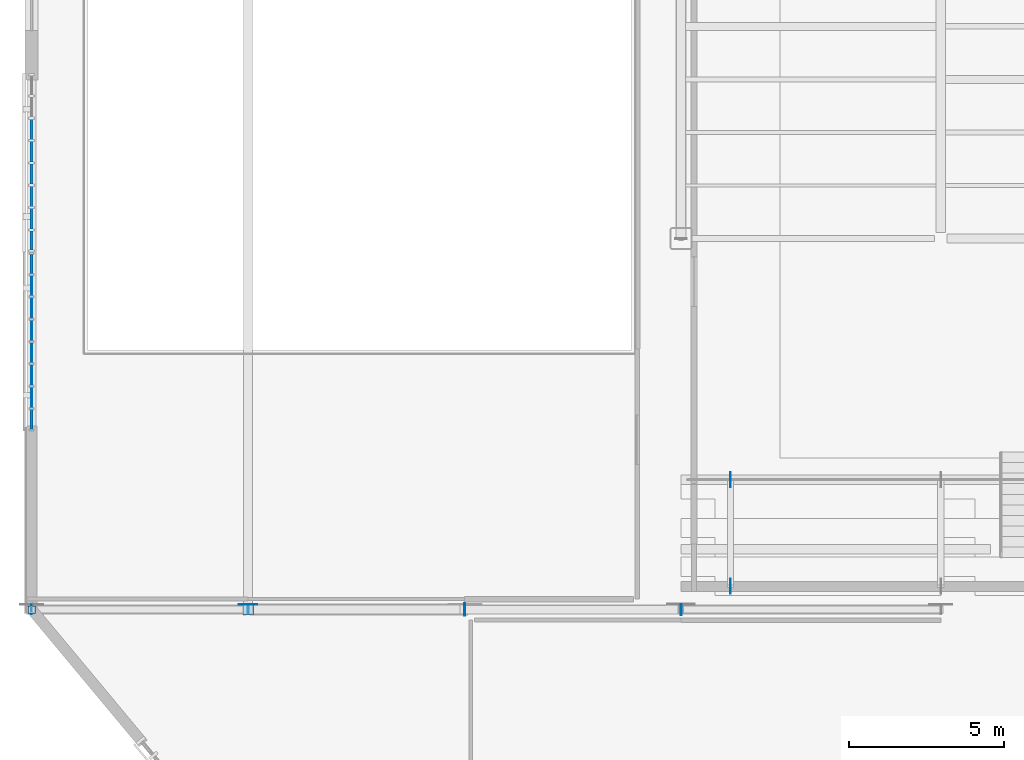
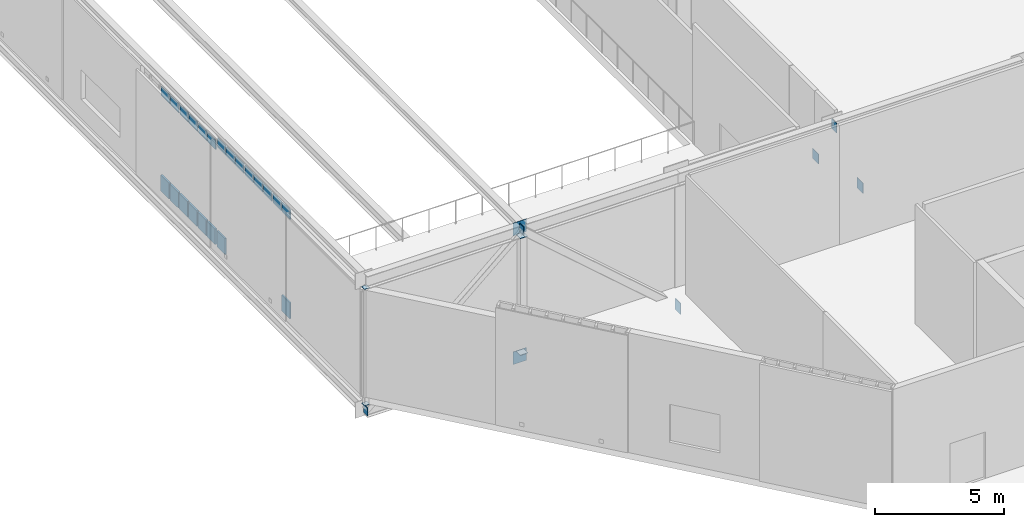
# One storey, part 84 of 135: 34 plates, 2 elements without a shape of their own.
"""IFC4 building model written with IfcOpenShell, lengths in metres."""

from ifc_helpers import new_model, si_unit, direction, frame, origin, origin_2d, place, context, subcontext, project, spatial, rectangle, extrude, material, layer, layer_set, type_object, element, aggregate, save


model = new_model("IFC4")

# Units and contexts
model_context = context("Model", 3, precision=1e-05, world=origin(), true_north=direction((0.0, 1.0)))
body_context = subcontext(model_context, "Body", "Model", "MODEL_VIEW")
ifc_project = project(units=[si_unit("LENGTHUNIT", "METRE"), si_unit("AREAUNIT", "SQUARE_METRE"), si_unit("VOLUMEUNIT", "CUBIC_METRE"), si_unit("PLANEANGLEUNIT", "RADIAN"), si_unit("MASSUNIT", "GRAM", prefix="KILO")], contexts=[model_context])

# Site, building, storey
site_placement = place(None, origin())
site = spatial("IfcSite", under=ifc_project, at=site_placement, CompositionType="ELEMENT")
building_placement = place(site_placement, origin())
building = spatial("IfcBuilding", under=site, at=building_placement, Name="Larkvane Passage Sports Hall", CompositionType="ELEMENT")
storey_placement = place(building_placement, frame((0.0, 0.0, 10.800048828125)))
storey = spatial("IfcBuildingStorey", under=building, at=storey_placement, Name="L02", CompositionType="ELEMENT", Elevation=10.800048828125)

# Curtain wall, plates
ifc_material_1 = material(Name="Thermally broken aluminium and low-E glazing", Category="aluminium")
curtain_wall_type_1 = type_object("IfcCurtainWallType", Name="CW-UNIT-COURT", PredefinedType="USERDEFINED", material=ifc_material_1)
curtain_wall_1_placement = place(storey_placement, origin())
curtain_wall_1 = element("IfcCurtainWall", 1, at=curtain_wall_1_placement, inside=storey, type_object=curtain_wall_type_1, Name="Curtain wall CW5-L02-092", ObjectType="UNITISED CURTAIN WALL", PredefinedType="USERDEFINED")
ifc_material_2 = material(Name="Insulated aluminium spandrel panel", Category="aluminium")
ifc_layer_1 = layer(ifc_material_2, 0.06494140625)
ifc_layer_set_1 = layer_set([ifc_layer_1], Name="Insulated aluminium spandrel panel")
plate_type_1 = type_object("IfcPlateType", Name="CWP-SPD-65", PredefinedType="CURTAIN_PANEL", material=ifc_layer_set_1)
plate_1_placement = place(storey_placement, frame((13.800048828125, 45.75390625, 0.06005859375), z_axis=(0.0, 0.0, 1.0), x_axis=(0.0, 1.0, 0.0)))
plate_1 = element("IfcPlate", 2, at=plate_1_placement, type_object=plate_type_1, Name="CW-01 panel 1.1", PredefinedType="CURTAIN_PANEL", context=body_context, shape_type="SweptSolid", body=[
    extrude(rectangle(XDim=0.63232421875, YDim=0.06494140625, at=origin_2d()), origin(), (0.0, 0.0, 1.0), 0.760009765625),
])
plate_2_placement = place(storey_placement, frame((13.800048828125, 50.779541015625, 0.06005859375), z_axis=(0.0, 0.0, 1.0), x_axis=(0.0, 1.0, 0.0)))
plate_2 = element("IfcPlate", 3, at=plate_2_placement, type_object=plate_type_1, Name="CW-01 panel 8.1", PredefinedType="CURTAIN_PANEL", context=body_context, shape_type="SweptSolid", body=[
    extrude(rectangle(XDim=0.63232421875, YDim=0.06494140625, at=origin_2d()), origin(), (0.0, 0.0, 1.0), 0.760009765625),
])

curtain_wall_type_2 = type_object("IfcCurtainWallType", Name="CW-UNIT-VEIL", PredefinedType="USERDEFINED", material=ifc_material_1)
curtain_wall_2_placement = place(storey_placement, origin())
curtain_wall_2 = element("IfcCurtainWall", 4, at=curtain_wall_2_placement, inside=storey, type_object=curtain_wall_type_2, Name="Curtain wall CW5-L02-093", ObjectType="UNITISED CURTAIN WALL", PredefinedType="USERDEFINED")
ifc_material_3 = material(Name="Mineral-wool insulated spandrel cassette")
ifc_layer_2 = layer(ifc_material_3, 0.0849609375)
ifc_layer_set_2 = layer_set([ifc_layer_2], Name="Mineral-wool insulated spandrel cassette")
plate_type_2 = type_object("IfcPlateType", Name="CWP-SPD-85", PredefinedType="CURTAIN_PANEL", material=ifc_layer_set_2)
plate_3_placement = place(storey_placement, frame((13.800048828125, 51.5341796875, 0.06982421875), z_axis=(0.0, 0.0, 1.0), x_axis=(0.0, 1.0, 0.0)))
plate_3 = element("IfcPlate", 5, at=plate_3_placement, type_object=plate_type_2, Name="CW-02 panel 1.1", PredefinedType="CURTAIN_PANEL", context=body_context, shape_type="SweptSolid", body=[
    extrude(rectangle(XDim=0.6171875, YDim=0.0849609375, at=origin_2d()), origin(), (0.0, 0.0, 1.0), 0.7451171875),
])
plate_4_placement = place(storey_placement, frame((13.800048828125, 52.239013671875, 0.06982421875), z_axis=(0.0, 0.0, 1.0), x_axis=(0.0, 1.0, 0.0)))
plate_4 = element("IfcPlate", 6, at=plate_4_placement, type_object=plate_type_2, Name="CW-02 panel 2.1", PredefinedType="CURTAIN_PANEL", context=body_context, shape_type="SweptSolid", body=[
    extrude(rectangle(XDim=0.652099609375, YDim=0.0849609375, at=origin_2d()), origin(), (0.0, 0.0, 1.0), 0.7451171875),
])
plate_5_placement = place(storey_placement, frame((13.800048828125, 52.961181640625, 0.06982421875), z_axis=(0.0, 0.0, 1.0), x_axis=(0.0, 1.0, 0.0)))
plate_5 = element("IfcPlate", 7, at=plate_5_placement, type_object=plate_type_2, Name="CW-02 panel 3.1", PredefinedType="CURTAIN_PANEL", context=body_context, shape_type="SweptSolid", body=[
    extrude(rectangle(XDim=0.652099609375, YDim=0.0849609375, at=origin_2d()), origin(), (0.0, 0.0, 1.0), 0.7451171875),
])
plate_6_placement = place(storey_placement, frame((13.800048828125, 53.683349609375, 0.06982421875), z_axis=(0.0, 0.0, 1.0), x_axis=(0.0, 1.0, 0.0)))
plate_6 = element("IfcPlate", 8, at=plate_6_placement, type_object=plate_type_2, Name="CW-02 panel 4.1", PredefinedType="CURTAIN_PANEL", context=body_context, shape_type="SweptSolid", body=[
    extrude(rectangle(XDim=0.652099609375, YDim=0.0849609375, at=origin_2d()), origin(), (0.0, 0.0, 1.0), 0.7451171875),
])
plate_7_placement = place(storey_placement, frame((13.800048828125, 54.405517578125, 0.06982421875), z_axis=(0.0, 0.0, 1.0), x_axis=(0.0, 1.0, 0.0)))
plate_7 = element("IfcPlate", 9, at=plate_7_placement, type_object=plate_type_2, Name="CW-02 panel 5.1", PredefinedType="CURTAIN_PANEL", context=body_context, shape_type="SweptSolid", body=[
    extrude(rectangle(XDim=0.652099609375, YDim=0.0849609375, at=origin_2d()), origin(), (0.0, 0.0, 1.0), 0.7451171875),
])
plate_8_placement = place(storey_placement, frame((13.800048828125, 55.127685546875, 0.06982421875), z_axis=(0.0, 0.0, 1.0), x_axis=(0.0, 1.0, 0.0)))
plate_8 = element("IfcPlate", 10, at=plate_8_placement, type_object=plate_type_2, Name="CW-02 panel 6.1", PredefinedType="CURTAIN_PANEL", context=body_context, shape_type="SweptSolid", body=[
    extrude(rectangle(XDim=0.652099609375, YDim=0.0849609375, at=origin_2d()), origin(), (0.0, 0.0, 1.0), 0.7451171875),
])

# Plate
ifc_material_4 = material(Name="Solar-control low-E double glazing", Category="glass")
ifc_layer_3 = layer(ifc_material_4, 0.028076171875)
ifc_layer_set_3 = layer_set([ifc_layer_3], Name="Solar-control low-E double glazing")
plate_type_3 = type_object("IfcPlateType", Name="CWP-VIS-28", PredefinedType="CURTAIN_PANEL", material=ifc_layer_set_3)
plate_9_placement = place(storey_placement, frame((13.800048828125, 45.75390625, 4.758056640625), z_axis=(0.0, 0.0, 1.0), x_axis=(0.0, 1.0, 0.0)))
plate_9 = element("IfcPlate", 11, at=plate_9_placement, type_object=plate_type_3, Name="CW-01 panel 1.3", PredefinedType="CURTAIN_PANEL", context=body_context, shape_type="SweptSolid", body=[
    extrude(rectangle(XDim=0.63232421875, YDim=0.028076171875, at=origin_2d()), origin(), (0.0, 0.0, 1.0), 0.4599609375),
])

plate_10_placement = place(storey_placement, frame((13.800048828125, 46.461181640625, 4.758056640625), z_axis=(0.0, 0.0, 1.0), x_axis=(0.0, 1.0, 0.0)))
plate_10 = element("IfcPlate", 12, at=plate_10_placement, type_object=plate_type_3, Name="CW-01 panel 2.3", PredefinedType="CURTAIN_PANEL", context=body_context, shape_type="SweptSolid", body=[
    extrude(rectangle(XDim=0.662109375, YDim=0.028076171875, at=origin_2d()), origin(), (0.0, 0.0, 1.0), 0.4599609375),
])

plate_11_placement = place(storey_placement, frame((13.800048828125, 47.183349609375, 4.758056640625), z_axis=(0.0, 0.0, 1.0), x_axis=(0.0, 1.0, 0.0)))
plate_11 = element("IfcPlate", 13, at=plate_11_placement, type_object=plate_type_3, Name="CW-01 panel 3.3", PredefinedType="CURTAIN_PANEL", context=body_context, shape_type="SweptSolid", body=[
    extrude(rectangle(XDim=0.662109375, YDim=0.028076171875, at=origin_2d()), origin(), (0.0, 0.0, 1.0), 0.4599609375),
])

plate_12_placement = place(storey_placement, frame((13.800048828125, 47.905517578125, 4.758056640625), z_axis=(0.0, 0.0, 1.0), x_axis=(0.0, 1.0, 0.0)))
plate_12 = element("IfcPlate", 14, at=plate_12_placement, type_object=plate_type_3, Name="CW-01 panel 4.3", PredefinedType="CURTAIN_PANEL", context=body_context, shape_type="SweptSolid", body=[
    extrude(rectangle(XDim=0.662109375, YDim=0.028076171875, at=origin_2d()), origin(), (0.0, 0.0, 1.0), 0.4599609375),
])

plate_13_placement = place(storey_placement, frame((13.800048828125, 48.6279296875, 4.758056640625), z_axis=(0.0, 0.0, 1.0), x_axis=(0.0, 1.0, 0.0)))
plate_13 = element("IfcPlate", 15, at=plate_13_placement, type_object=plate_type_3, Name="CW-01 panel 5.3", PredefinedType="CURTAIN_PANEL", context=body_context, shape_type="SweptSolid", body=[
    extrude(rectangle(XDim=0.662109375, YDim=0.028076171875, at=origin_2d()), origin(), (0.0, 0.0, 1.0), 0.4599609375),
])

plate_14_placement = place(storey_placement, frame((13.800048828125, 49.35009765625, 4.758056640625), z_axis=(0.0, 0.0, 1.0), x_axis=(0.0, 1.0, 0.0)))
plate_14 = element("IfcPlate", 16, at=plate_14_placement, type_object=plate_type_3, Name="CW-01 panel 6.3", PredefinedType="CURTAIN_PANEL", context=body_context, shape_type="SweptSolid", body=[
    extrude(rectangle(XDim=0.662109375, YDim=0.028076171875, at=origin_2d()), origin(), (0.0, 0.0, 1.0), 0.4599609375),
])

plate_15_placement = place(storey_placement, frame((13.800048828125, 50.072265625, 4.758056640625), z_axis=(0.0, 0.0, 1.0), x_axis=(0.0, 1.0, 0.0)))
plate_15 = element("IfcPlate", 17, at=plate_15_placement, type_object=plate_type_3, Name="CW-01 panel 7.3", PredefinedType="CURTAIN_PANEL", context=body_context, shape_type="SweptSolid", body=[
    extrude(rectangle(XDim=0.662109375, YDim=0.028076171875, at=origin_2d()), origin(), (0.0, 0.0, 1.0), 0.4599609375),
])

plate_16_placement = place(storey_placement, frame((13.800048828125, 50.779541015625, 4.758056640625), z_axis=(0.0, 0.0, 1.0), x_axis=(0.0, 1.0, 0.0)))
plate_16 = element("IfcPlate", 18, at=plate_16_placement, type_object=plate_type_3, Name="CW-01 panel 8.3", PredefinedType="CURTAIN_PANEL", context=body_context, shape_type="SweptSolid", body=[
    extrude(rectangle(XDim=0.63232421875, YDim=0.028076171875, at=origin_2d()), origin(), (0.0, 0.0, 1.0), 0.4599609375),
])

aggregate(curtain_wall_1, [plate_1, plate_9, plate_10, plate_11, plate_12, plate_13, plate_14, plate_15, plate_2, plate_16])

ifc_material_5 = material(Name="Laminated acoustic low-E glazing", Category="glass")
ifc_layer_4 = layer(ifc_material_5, 0.031982421875)
ifc_layer_set_4 = layer_set([ifc_layer_4], Name="Laminated acoustic low-E glazing")
plate_type_4 = type_object("IfcPlateType", Name="CWP-VIS-32", PredefinedType="CURTAIN_PANEL", material=ifc_layer_set_4)
plate_17_placement = place(storey_placement, frame((13.800048828125, 51.5341796875, 4.56494140625), z_axis=(0.0, 0.0, 1.0), x_axis=(0.0, 1.0, 0.0)))
plate_17 = element("IfcPlate", 19, at=plate_17_placement, type_object=plate_type_4, Name="CW-02 panel 1.3", PredefinedType="CURTAIN_PANEL", context=body_context, shape_type="SweptSolid", body=[
    extrude(rectangle(XDim=0.6171875, YDim=0.031982421875, at=origin_2d()), origin(), (0.0, 0.0, 1.0), 0.445068359375),
])

plate_18_placement = place(storey_placement, frame((13.800048828125, 52.239013671875, 4.56494140625), z_axis=(0.0, 0.0, 1.0), x_axis=(0.0, 1.0, 0.0)))
plate_18 = element("IfcPlate", 20, at=plate_18_placement, type_object=plate_type_4, Name="CW-02 panel 2.3", PredefinedType="CURTAIN_PANEL", context=body_context, shape_type="SweptSolid", body=[
    extrude(rectangle(XDim=0.652099609375, YDim=0.031982421875, at=origin_2d()), origin(), (0.0, 0.0, 1.0), 0.445068359375),
])

plate_19_placement = place(storey_placement, frame((13.800048828125, 52.961181640625, 4.56494140625), z_axis=(0.0, 0.0, 1.0), x_axis=(0.0, 1.0, 0.0)))
plate_19 = element("IfcPlate", 21, at=plate_19_placement, type_object=plate_type_4, Name="CW-02 panel 3.3", PredefinedType="CURTAIN_PANEL", context=body_context, shape_type="SweptSolid", body=[
    extrude(rectangle(XDim=0.652099609375, YDim=0.031982421875, at=origin_2d()), origin(), (0.0, 0.0, 1.0), 0.445068359375),
])

plate_20_placement = place(storey_placement, frame((13.800048828125, 53.683349609375, 4.56494140625), z_axis=(0.0, 0.0, 1.0), x_axis=(0.0, 1.0, 0.0)))
plate_20 = element("IfcPlate", 22, at=plate_20_placement, type_object=plate_type_4, Name="CW-02 panel 4.3", PredefinedType="CURTAIN_PANEL", context=body_context, shape_type="SweptSolid", body=[
    extrude(rectangle(XDim=0.652099609375, YDim=0.031982421875, at=origin_2d()), origin(), (0.0, 0.0, 1.0), 0.445068359375),
])

plate_21_placement = place(storey_placement, frame((13.800048828125, 54.405517578125, 4.56494140625), z_axis=(0.0, 0.0, 1.0), x_axis=(0.0, 1.0, 0.0)))
plate_21 = element("IfcPlate", 23, at=plate_21_placement, type_object=plate_type_4, Name="CW-02 panel 5.3", PredefinedType="CURTAIN_PANEL", context=body_context, shape_type="SweptSolid", body=[
    extrude(rectangle(XDim=0.652099609375, YDim=0.031982421875, at=origin_2d()), origin(), (0.0, 0.0, 1.0), 0.445068359375),
])

plate_22_placement = place(storey_placement, frame((13.800048828125, 55.127685546875, 4.56494140625), z_axis=(0.0, 0.0, 1.0), x_axis=(0.0, 1.0, 0.0)))
plate_22 = element("IfcPlate", 24, at=plate_22_placement, type_object=plate_type_4, Name="CW-02 panel 6.3", PredefinedType="CURTAIN_PANEL", context=body_context, shape_type="SweptSolid", body=[
    extrude(rectangle(XDim=0.652099609375, YDim=0.031982421875, at=origin_2d()), origin(), (0.0, 0.0, 1.0), 0.445068359375),
])

aggregate(curtain_wall_2, [plate_3, plate_17, plate_4, plate_18, plate_5, plate_19, plate_6, plate_20, plate_7, plate_21, plate_8, plate_22])

# Plates
ifc_material_6 = material(Name="Steel S355JR", Category="steel")
ifc_layer_5 = layer(ifc_material_6, 0.011962890625)
ifc_layer_set_5 = layer_set([ifc_layer_5], Name="Steel S355JR")
plate_type_5 = type_object("IfcPlateType", Name="PLT-CAP-12", PredefinedType="SHEET", material=ifc_layer_set_5)
for number, where, z_axis, x_axis, name in (
    (25, (13.79541015625, 39.60009765625, -0.9140625), (0.0, 0.0, 1.0), (0.0, 1.0, 0.0), "Hollow section sealed end cap plate 0089"),
    (26, (20.804443359375, 39.60009765625, 5.19384765625), (0.0, 0.0, 1.0), (0.0, 1.0, 0.0), "Hollow section sealed end cap plate 0090"),
):
    element("IfcPlate", number, at=place(storey_placement, frame(where, z_axis=z_axis, x_axis=x_axis)), inside=storey, type_object=plate_type_5, Name=name, PredefinedType="SHEET", context=body_context, shape_type="SweptSolid", body=[
        extrude(rectangle(XDim=0.31005859375, YDim=0.028076171875, at=origin_2d()), origin(), (0.0, 0.0, 1.0), 0.39208984375),
    ])
for number, where, z_axis, x_axis, name in (
    (27, (13.800048828125, 39.60009765625, -0.43212890625), (0.0, 0.0, 1.0), (1.0, 0.0, 0.0), "Hollow section sealed end cap plate 0094"),
    (28, (13.800048828125, 39.60009765625, 5.091796875), (0.0, 0.0, 1.0), (1.0, 0.0, 0.0), "Hollow section sealed end cap plate 0095"),
):
    element("IfcPlate", number, at=place(storey_placement, frame(where, z_axis=z_axis, x_axis=x_axis)), inside=storey, type_object=plate_type_5, Name=name, PredefinedType="SHEET", context=body_context, shape_type="SweptSolid", body=[
        extrude(rectangle(XDim=0.239990234375, YDim=0.239990234375, at=origin_2d()), origin(), (0.0, 0.0, 1.0), 0.011962890625),
    ])
ifc_material_7 = material(Name="Steel S460N", Category="steel")
ifc_layer_6 = layer(ifc_material_7, 0.02001953125)
ifc_layer_set_6 = layer_set([ifc_layer_6], Name="Steel S460N")
plate_type_6 = type_object("IfcPlateType", Name="PLT-CAP-20", PredefinedType="SHEET", material=ifc_layer_set_6)
plate_23_placement = place(storey_placement, frame((27.8076171875, 39.60009765625, -0.982666015625), z_axis=(0.0, 0.0, 1.0), x_axis=(0.0, 1.0, 0.0)))
element("IfcPlate", 29, at=plate_23_placement, inside=storey, type_object=plate_type_6, Name="Hollow section sealed end cap plate 0091", PredefinedType="SHEET", context=body_context, shape_type="SweptSolid", body=[
    extrude(rectangle(XDim=0.409912109375, YDim=0.028076171875, at=origin_2d()), origin(), (0.0, 0.0, 1.0), 0.52392578125),
])
plate_24_placement = place(storey_placement, frame((34.8076171875, 39.60009765625, 5.16357421875), z_axis=(0.0, 0.0, 1.0), x_axis=(0.0, 1.0, 0.0)))
element("IfcPlate", 30, at=plate_24_placement, inside=storey, type_object=plate_type_6, Name="Hollow section sealed end cap plate 0092", PredefinedType="SHEET", context=body_context, shape_type="SweptSolid", body=[
    extrude(rectangle(XDim=0.360107421875, YDim=0.028076171875, at=origin_2d()), origin(), (0.0, 0.0, 1.0), 0.4580078125),
])
for number, where, z_axis, x_axis, name in (
    (31, (20.800048828125, 39.60009765625, -0.43994140625), (0.0, 0.0, 1.0), (1.0, 0.0, 0.0), "Hollow section sealed end cap plate 0096"),
    (32, (20.800048828125, 39.60009765625, 5.092041015625), (0.0, 0.0, 1.0), (1.0, 0.0, 0.0), "Hollow section sealed end cap plate 0097"),
):
    element("IfcPlate", number, at=place(storey_placement, frame(where, z_axis=z_axis, x_axis=x_axis)), inside=storey, type_object=plate_type_6, Name=name, PredefinedType="SHEET", context=body_context, shape_type="SweptSolid", body=[
        extrude(rectangle(XDim=0.340087890625, YDim=0.340087890625, at=origin_2d()), origin(), (0.0, 0.0, 1.0), 0.02001953125),
    ])
ifc_layer_7 = layer(ifc_material_7, 0.01611328125)
ifc_layer_set_7 = layer_set([ifc_layer_7], Name="Steel S460N")
plate_type_7 = type_object("IfcPlateType", Name="PLT-GUS-16", PredefinedType="USERDEFINED", material=ifc_layer_set_7)
for number, where, z_axis, x_axis, name in (
    (33, (20.800048828125, 39.758056640625, -1.01416015625), (0.0, 0.0, 1.0), (1.0, 0.0, 0.0), "Truss node gusset plate ND-2B (CT-W2A-1)"),
    (34, (20.800048828125, 39.758056640625, 5.0859375), (0.0, 0.0, 1.0), (1.0, 0.0, 0.0), "Truss node gusset plate ND-2T (CT-W2A-1)"),
):
    element("IfcPlate", number, at=place(storey_placement, frame(where, z_axis=z_axis, x_axis=x_axis)), inside=storey, type_object=plate_type_7, Name=name, ObjectType="GUSSET PLATE", PredefinedType="USERDEFINED", context=body_context, shape_type="SweptSolid", body=[
        extrude(rectangle(XDim=0.60009765625, YDim=0.01611328125, at=origin_2d()), origin(), (0.0, 0.0, 1.0), 0.60009765625),
    ])
for number, where, z_axis, x_axis, name in (
    (35, (36.39990234375, 43.800048828125, 0.60986328125), (0.0, 0.0, 1.0), (0.0, -1.0, 0.0), "Brace connection gusset plate 0043"),
    (36, (36.39990234375, 40.35009765625, 1.31005859375), (0.0, 0.0, 1.0), (0.0, -1.0, 0.0), "Brace connection gusset plate 0044"),
):
    element("IfcPlate", number, at=place(storey_placement, frame(where, z_axis=z_axis, x_axis=x_axis)), inside=storey, type_object=plate_type_7, Name=name, ObjectType="GUSSET PLATE", PredefinedType="USERDEFINED", context=body_context, shape_type="SweptSolid", body=[
        extrude(rectangle(XDim=0.47998046875, YDim=0.01611328125, at=origin_2d()), origin(), (0.0, 0.0, 1.0), 0.47998046875),
    ])

save(model, "model.ifc")
